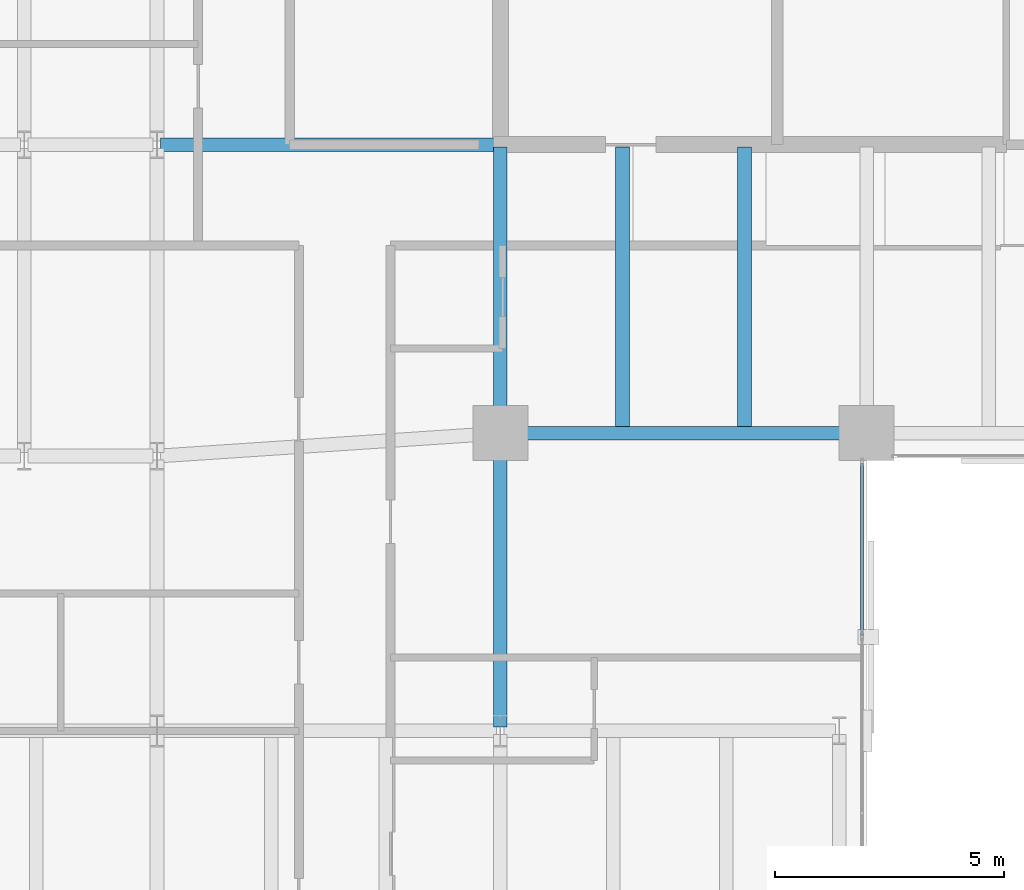
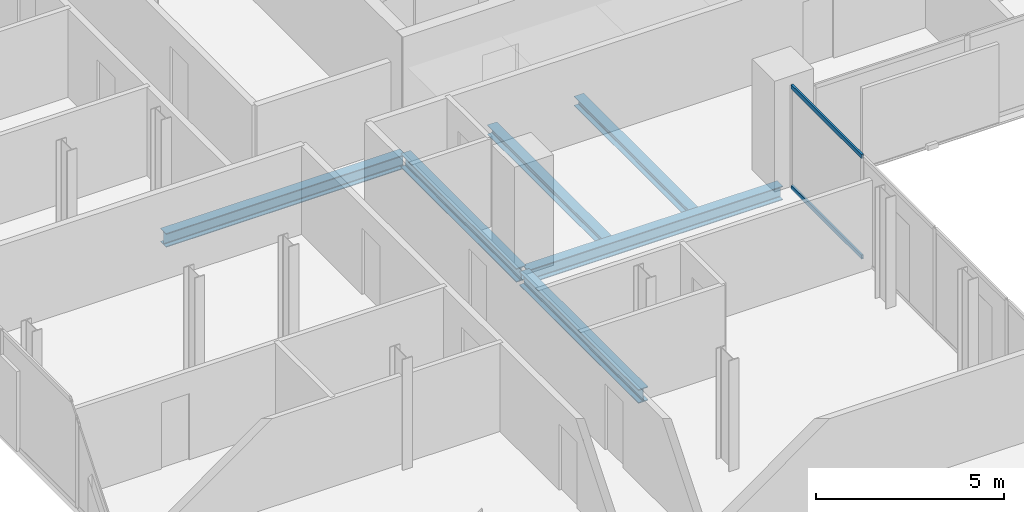
# One storey, part 12 of 33: 6 beams, 2 members, 1 element without a shape of its own.
"""IFC4 building model written with IfcOpenShell, lengths in metres."""

from ifc_helpers import new_model, si_unit, direction, frame, origin, origin_2d, place, context, subcontext, project, spatial, hollow_rectangle, i_section, extrude, material, layer, layer_set, material_profile, profile_set, type_object, element, aggregate, save


model = new_model("IFC4")

# Units and contexts
model_context = context("Model", 3, precision=1e-05, world=origin(), true_north=direction((0.0, 1.0)))
body_context = subcontext(model_context, "Body", "Model", "MODEL_VIEW")
ifc_project = project(units=[si_unit("LENGTHUNIT", "METRE"), si_unit("AREAUNIT", "SQUARE_METRE"), si_unit("VOLUMEUNIT", "CUBIC_METRE"), si_unit("PLANEANGLEUNIT", "RADIAN"), si_unit("MASSUNIT", "GRAM", prefix="KILO")], contexts=[model_context])

# Site, building, storey
site_placement = place(None, origin())
site = spatial("IfcSite", under=ifc_project, at=site_placement, CompositionType="ELEMENT")
building_placement = place(site_placement, origin())
building = spatial("IfcBuilding", under=site, at=building_placement, Name="Catumbela Crestline Tower", CompositionType="ELEMENT")
storey_placement = place(building_placement, frame((0.0, 0.0, 118.8)))
storey = spatial("IfcBuildingStorey", under=building, at=storey_placement, Name="L30", CompositionType="ELEMENT", Elevation=118.8)

# Beams
ifc_material_1 = material(Name="Structural steel S355J2", Category="steel")
ifc_material_profile_1 = material_profile(ifc_material_1, i_section(OverallWidth=0.3, OverallDepth=0.45, WebThickness=0.014, FlangeThickness=0.026, FilletRadius=0.027, at=origin_2d()), Name="HEB 450")
ifc_profile_set_1 = profile_set([ifc_material_profile_1], Name="Structural steel S355J2")
beam_type_1 = type_object("IfcBeamType", Name="BG-HEB450", PredefinedType="BEAM", material=ifc_profile_set_1)
beam_1_placement = place(storey_placement, frame((16.08, 24.5, -0.485), z_axis=(1.0, 0.0, 0.0), x_axis=(0.0, 1.0, 0.0)))
element("IfcBeam", 1, at=beam_1_placement, inside=storey, type_object=beam_type_1, Name="L30 Beam BM-L30-S04", PredefinedType="BEAM", context=body_context, shape_type="SweptSolid", body=[
    extrude(i_section(OverallWidth=0.3, OverallDepth=0.45, WebThickness=0.014, FlangeThickness=0.026, FilletRadius=0.027, at=origin_2d()), origin(), (0.0, 0.0, 1.0), 7.84),
])
beam_2_placement = place(storey_placement, frame((8.58, 30.8, -0.485), z_axis=(1.0, 0.0, 0.0), x_axis=(0.0, 1.0, 0.0)))
element("IfcBeam", 2, at=beam_2_placement, inside=storey, type_object=beam_type_1, Name="L30 Beam BM-L30-M09", PredefinedType="BEAM", context=body_context, shape_type="SweptSolid", body=[
    extrude(i_section(OverallWidth=0.3, OverallDepth=0.45, WebThickness=0.014, FlangeThickness=0.026, FilletRadius=0.027, at=origin_2d()), origin(), (0.0, 0.0, 1.0), 7.37),
])
beam_3_placement = place(storey_placement, frame((16.0, 24.58, -0.485), z_axis=(0.0, 1.0, 0.0), x_axis=(-1.0, 0.0, 0.0)))
element("IfcBeam", 3, at=beam_3_placement, inside=storey, type_object=beam_type_1, Name="L30 Beam BM-L30-SNS28", PredefinedType="BEAM", context=body_context, shape_type="SweptSolid", body=[
    extrude(i_section(OverallWidth=0.3, OverallDepth=0.45, WebThickness=0.014, FlangeThickness=0.026, FilletRadius=0.027, at=origin_2d()), origin(), (0.0, 0.0, 1.0), 6.17),
])
beam_4_placement = place(storey_placement, frame((16.0, 18.08, -0.485), z_axis=(0.0, 1.0, 0.0), x_axis=(-1.0, 0.0, 0.0)))
element("IfcBeam", 4, at=beam_4_placement, inside=storey, type_object=beam_type_1, Name="L30 Beam BM-L30-WNS60", PredefinedType="BEAM", context=body_context, shape_type="SweptSolid", body=[
    extrude(i_section(OverallWidth=0.3, OverallDepth=0.45, WebThickness=0.014, FlangeThickness=0.026, FilletRadius=0.027, at=origin_2d()), origin(), (0.0, 0.0, 1.0), 6.34),
])
ifc_material_profile_2 = material_profile(ifc_material_1, i_section(OverallWidth=0.3, OverallDepth=0.31, WebThickness=0.009, FlangeThickness=0.0155, FilletRadius=0.027, at=origin_2d()), Name="HEA 320")
ifc_profile_set_2 = profile_set([ifc_material_profile_2], Name="Structural steel S355J2")
beam_type_2 = type_object("IfcBeamType", Name="BJ-HEA320", PredefinedType="JOIST", material=ifc_profile_set_2)
for number, where, z_axis, x_axis, name in (
    (5, (18.667, 24.647, -0.415), (0.0, 1.0, 0.0), (-1.0, 0.0, 0.0), "L30 Joist JS-L30-SP37"),
    (6, (21.333, 24.647, -0.415), (0.0, 1.0, 0.0), (-1.0, 0.0, 0.0), "L30 Joist JS-L30-SP38"),
):
    element("IfcBeam", number, at=place(storey_placement, frame(where, z_axis=z_axis, x_axis=x_axis)), inside=storey, type_object=beam_type_2, Name=name, PredefinedType="JOIST", context=body_context, shape_type="SweptSolid", body=[
        extrude(i_section(OverallWidth=0.3, OverallDepth=0.31, WebThickness=0.009, FlangeThickness=0.0155, FilletRadius=0.027, at=origin_2d()), origin(), (0.0, 0.0, 1.0), 6.103),
    ])

# Curtain wall, members
ifc_material_2 = material(Name="Aluminium alloy AW-6060-T66", Category="aluminium")
ifc_layer = layer(ifc_material_2, 0.18, Name="Aluminium alloy AW-6060-T66")
ifc_layer_set = layer_set([ifc_layer], Name="Aluminium alloy AW-6060-T66")
curtain_wall_type = type_object("IfcCurtainWallType", Name="CWU-Z2", PredefinedType="USERDEFINED", material=ifc_layer_set)
curtain_wall_placement = place(storey_placement, origin())
curtain_wall = element("IfcCurtainWall", 7, at=curtain_wall_placement, inside=storey, type_object=curtain_wall_type, Name="L30 Unitised Curtain Wall CW-L30-E2S1", ObjectType="UNITISED", PredefinedType="USERDEFINED")
ifc_material_profile_3 = material_profile(ifc_material_2, hollow_rectangle(XDim=0.06, YDim=0.14, WallThickness=0.004, at=origin_2d()), Name="ALU 140x60x4")
ifc_profile_set_3 = profile_set([ifc_material_profile_3], Name="Aluminium alloy AW-6060-T66")
member_type = type_object("IfcMemberType", Name="TRN-140X60", PredefinedType="USERDEFINED", material=ifc_profile_set_3)
member_1_placement = place(storey_placement, frame((23.9, 20.0825, 0.03), z_axis=(0.0, 1.0, 0.0), x_axis=(-1.0, 0.0, 0.0)))
member_1 = element("IfcMember", 8, at=member_1_placement, type_object=member_type, Name="CWU-Z2 transom 4.1", ObjectType="TRANSOM", PredefinedType="USERDEFINED", context=body_context, shape_type="SweptSolid", body=[
    extrude(hollow_rectangle(XDim=0.06, YDim=0.14, WallThickness=0.004, at=origin_2d()), origin(), (0.0, 0.0, 1.0), 3.7525),
])
member_2_placement = place(storey_placement, frame((23.9, 20.0825, 3.3), z_axis=(0.0, 1.0, 0.0), x_axis=(-1.0, 0.0, 0.0)))
member_2 = element("IfcMember", 9, at=member_2_placement, type_object=member_type, Name="CWU-Z2 transom 4.2", ObjectType="TRANSOM", PredefinedType="USERDEFINED", context=body_context, shape_type="SweptSolid", body=[
    extrude(hollow_rectangle(XDim=0.06, YDim=0.14, WallThickness=0.004, at=origin_2d()), origin(), (0.0, 0.0, 1.0), 3.7525),
])
aggregate(curtain_wall, [member_1, member_2])

save(model, "model.ifc")
